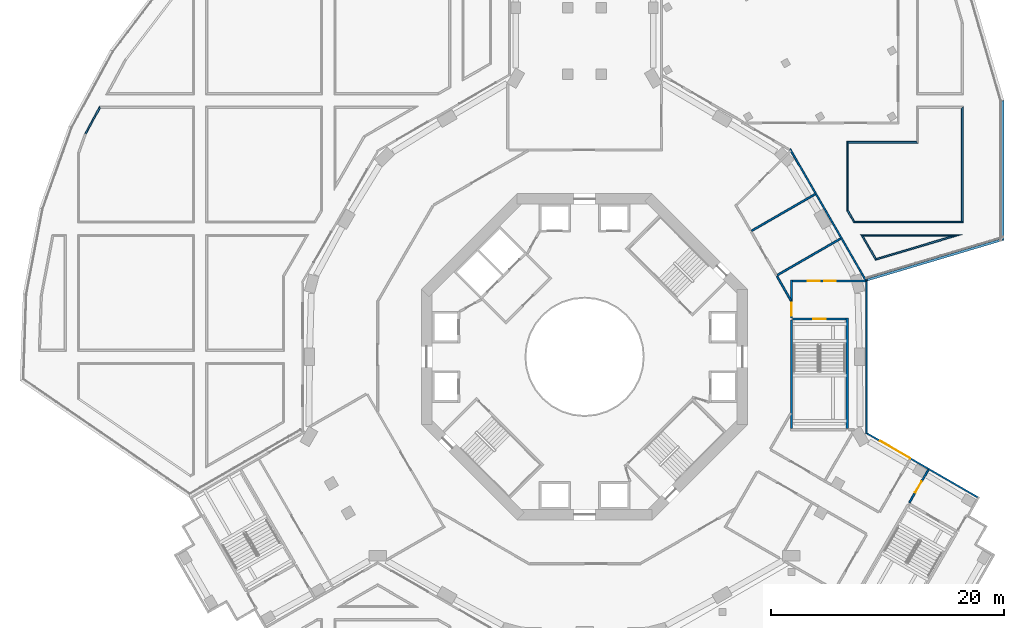
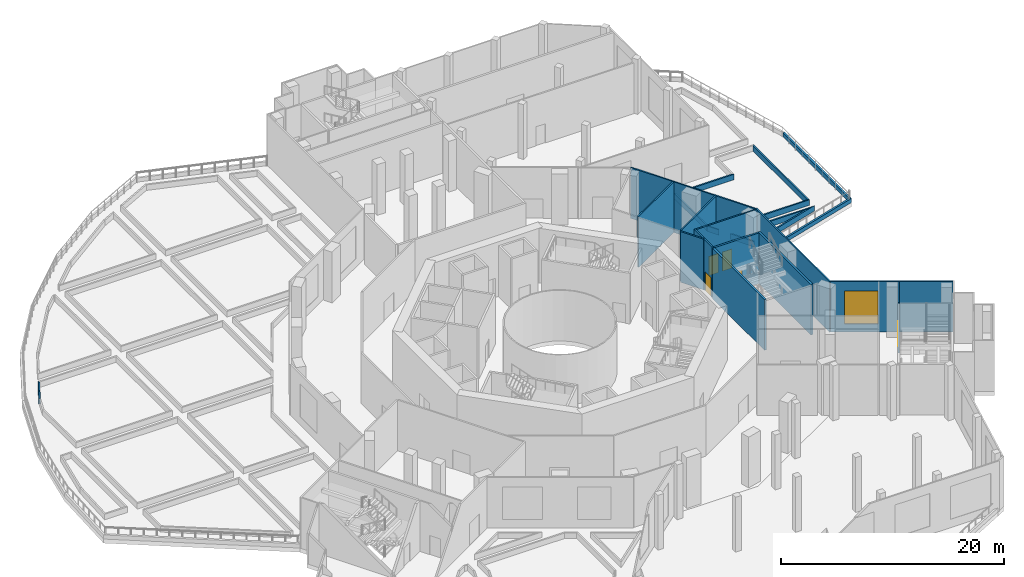
# One storey, part 8 of 29: 23 walls, 5 doors, 1 window, 6 openings.
"""IFC4 building model written with IfcOpenShell, lengths in metres."""

import ifcopenshell
import ifcopenshell.guid

model = None  # the IFC model being written
_history = None  # IfcOwnerHistory: only IFC2X3 demands one
_inside = {}  # id of a spatial element -> (the spatial element, [elements in it])
_under = {}  # id of a project, library or spatial element -> (it, [spatial elements below it])
_declared = {}  # id of a project -> (the project, [libraries it declares])
_typed = {}  # id of a type object -> (the type object, [elements of that type])
_made_of = {}  # id of a material, layer set ... -> (it, [elements and type objects made of it])


def new_model(schema):
    """Start an empty IFC model of exactly this schema.

    Asked for "IFC4X3", IfcOpenShell would pick the latest addendum, in which some entities
    have other attributes; the version numbers below select the first issue.
    IFC2X3 requires an IfcOwnerHistory on every rooted entity: one is made here for all.
    """
    global model, _history
    if schema == "IFC4X3":
        model = ifcopenshell.file(schema_version=(4, 3, 0, 0))
    else:
        model = ifcopenshell.file(schema=schema)
    _inside.clear()
    _under.clear()
    _declared.clear()
    _typed.clear()
    _made_of.clear()
    _history = None
    if model.schema == "IFC2X3":
        org = make("IfcOrganization", Name="unknown")
        user = make(
            "IfcPersonAndOrganization",
            ThePerson=make("IfcPerson", FamilyName="unknown"),
            TheOrganization=org,
        )
        app = make(
            "IfcApplication",
            ApplicationDeveloper=org,
            Version="unknown",
            ApplicationFullName="unknown",
            ApplicationIdentifier="unknown",
        )
        _history = make(
            "IfcOwnerHistory",
            OwningUser=user,
            OwningApplication=app,
            ChangeAction="ADDED",
            CreationDate=0,
        )
    return model


def make(cls, **values):
    """One entity of the class cls with the attributes given. An attribute that is None is left unset."""
    return model.create_entity(
        cls, **{name: value for name, value in values.items() if value is not None}
    )


def rooted(cls, **values):
    """An entity with a GlobalId (a new one), such as an element, a storey or a relation."""
    return make(cls, GlobalId=ifcopenshell.guid.new(), OwnerHistory=_history, **values)


def si_unit(unit_type, name, prefix=None):
    """IfcSIUnit, for example si_unit("LENGTHUNIT", "METRE", prefix="MILLI")."""
    return make("IfcSIUnit", UnitType=unit_type, Prefix=prefix, Name=name)


def assignment(units):
    """IfcUnitAssignment: the units of a project."""
    return None if units is None else make("IfcUnitAssignment", Units=units)


def point(xyz):
    """IfcCartesianPoint."""
    return None if xyz is None else make("IfcCartesianPoint", Coordinates=xyz)


def direction(xyz):
    """IfcDirection."""
    return None if xyz is None else make("IfcDirection", DirectionRatios=xyz)


def frame(location, z_axis=None, x_axis=None):
    """IfcAxis2Placement3D, a coordinate frame: its origin and axes. An axis left out is left unset."""
    return make(
        "IfcAxis2Placement3D",
        Location=point(location),
        Axis=direction(z_axis),
        RefDirection=direction(x_axis),
    )


def frame_2d(location, x_axis=None):
    """IfcAxis2Placement2D, a coordinate frame in the plane: its origin and x axis."""
    return make(
        "IfcAxis2Placement2D", Location=point(location), RefDirection=direction(x_axis)
    )


def origin():
    """The frame at (0, 0, 0) with its axes left unset."""
    return frame((0.0, 0.0, 0.0))


def place(relative_to, where):
    """IfcLocalPlacement: puts the frame where relative to a parent placement (None: the world)."""
    return make(
        "IfcLocalPlacement", PlacementRelTo=relative_to, RelativePlacement=where
    )


def context(
    kind, dimensions, precision=None, world=None, true_north=None, identifier=None
):
    """IfcGeometricRepresentationContext, for example the 3D "Model" context."""
    return make(
        "IfcGeometricRepresentationContext",
        ContextIdentifier=identifier,
        ContextType=kind,
        CoordinateSpaceDimension=dimensions,
        Precision=precision,
        WorldCoordinateSystem=world,
        TrueNorth=true_north,
    )


def subcontext(parent, identifier, kind, view, scale=None):
    """IfcGeometricRepresentationSubContext, for example "Body" below "Model"."""
    return make(
        "IfcGeometricRepresentationSubContext",
        ContextIdentifier=identifier,
        ContextType=kind,
        ParentContext=parent,
        TargetScale=scale,
        TargetView=view,
    )


def project(units=None, contexts=None):
    """IfcProject with its units and contexts."""
    return rooted(
        "IfcProject",
        Name="project",
        RepresentationContexts=contexts,
        UnitsInContext=assignment(units),
    )


def spatial(cls, under=None, at=None, **own):
    """A site, building, storey or space (cls), placed at a placement, below another one or the project."""
    s = rooted(cls, ObjectPlacement=at, **own)
    if under is not None:
        _under.setdefault(under.id(), (under, []))[1].append(s)
    return s


def polyline(points):
    """IfcPolyline through the points."""
    return make("IfcPolyline", Points=[point(p) for p in points])


def profile(cls, at=None, kind="AREA", **sizes):
    """A parametric profile (cls). Its sizes go by their IFC names, for example OverallWidth=200.0."""
    return make(cls, ProfileType=kind, Position=at, **sizes)


def rectangle(**sizes):
    """IfcRectangleProfileDef."""
    return profile("IfcRectangleProfileDef", **sizes)


def outline(outer, holes=None, kind="AREA"):
    """IfcArbitraryClosedProfileDef: a profile drawn as a closed curve; with holes, ...WithVoids."""
    if holes is None:
        return make("IfcArbitraryClosedProfileDef", ProfileType=kind, OuterCurve=outer)
    return make(
        "IfcArbitraryProfileDefWithVoids",
        ProfileType=kind,
        OuterCurve=outer,
        InnerCurves=holes,
    )


def extrude(swept, where, along, depth):
    """IfcExtrudedAreaSolid: the profile swept, set in the frame where, extruded along a direction by depth."""
    return make(
        "IfcExtrudedAreaSolid",
        SweptArea=swept,
        Position=where,
        ExtrudedDirection=direction(along),
        Depth=depth,
    )


def shape(context_of_items, identifier, shape_type, items):
    """IfcShapeRepresentation: the items that make up one representation, for example the "Body"."""
    return make(
        "IfcShapeRepresentation",
        ContextOfItems=context_of_items,
        RepresentationIdentifier=identifier,
        RepresentationType=shape_type,
        Items=items,
    )


def material(Name=None, Category=None):
    """IfcMaterial."""
    return make("IfcMaterial", Name=Name, Category=Category)


def layer(
    of_material, thickness, ventilated=None, Name=None, Category=None, Priority=None
):
    """IfcMaterialLayer: one layer of a wall or slab, of a material (None: an air gap)."""
    return make(
        "IfcMaterialLayer",
        Material=of_material,
        LayerThickness=thickness,
        IsVentilated=ventilated,
        Name=Name,
        Category=Category,
        Priority=Priority,
    )


def layer_set(layers, Name=None):
    """IfcMaterialLayerSet."""
    return make("IfcMaterialLayerSet", MaterialLayers=layers, LayerSetName=Name)


def made_of(thing, what):
    """Note that an element or type object is made of a material, layer set ...; save() writes the relation."""
    if what is not None:
        _made_of.setdefault(what.id(), (what, []))[1].append(thing)
    return thing


def type_object(cls, material=None, **own):
    """A type object (cls), such as IfcWallType, which elements share."""
    return made_of(rooted(cls, **own), material)


def element(
    cls,
    number,
    at=None,
    inside=None,
    cuts=None,
    type_object=None,
    material=None,
    context=None,
    identifier="Body",
    shape_type=None,
    held_by="IfcProductDefinitionShape",
    body=None,
    shapes=None,
    **own,
):
    """One element of the class cls, such as IfcWall. Its Tag is "e" and its number.

    at: its placement. inside: the storey or other place that contains it. cuts: it is an
    opening in that element (IfcRelVoidsElement). A single representation is given by context,
    identifier, shape_type and body (its items); several are given by shapes. held_by: the class
    of the entity that holds the representations. save() writes the other relations.
    """
    e = rooted(cls, Tag="e%d" % number, ObjectPlacement=at, **own)
    if body is not None:
        shapes = [shape(context, identifier, shape_type, body)]
    if shapes is not None:
        e.Representation = make(held_by, Representations=shapes)
    if inside is not None:
        _inside.setdefault(inside.id(), (inside, []))[1].append(e)
    if cuts is not None:
        rooted(
            "IfcRelVoidsElement", RelatingBuildingElement=cuts, RelatedOpeningElement=e
        )
    if type_object is not None:
        _typed.setdefault(type_object.id(), (type_object, []))[1].append(e)
    return made_of(e, material)


def fill(opening, filler):
    """IfcRelFillsElement: the door or window that sits in an opening."""
    return rooted(
        "IfcRelFillsElement",
        RelatingOpeningElement=opening,
        RelatedBuildingElement=filler,
    )


def aggregate(whole, parts):
    """IfcRelAggregates: a whole, such as a stair, and the parts it consists of."""
    return rooted("IfcRelAggregates", RelatingObject=whole, RelatedObjects=parts)


def save(model, path):
    """Write the relations noted so far, then the file.

    IfcRelAggregates (storeys below a building ...), IfcRelContainedInSpatialStructure (elements
    in a storey), IfcRelDefinesByType, IfcRelAssociatesMaterial and IfcRelDeclares: one each for
    every whole, place, type object, material and project.
    """
    for whole, parts in _under.values():
        aggregate(whole, parts)
    for where, things in _inside.values():
        rooted(
            "IfcRelContainedInSpatialStructure",
            RelatedElements=things,
            RelatingStructure=where,
        )
    for kind, things in _typed.values():
        rooted("IfcRelDefinesByType", RelatedObjects=things, RelatingType=kind)
    for what, things in _made_of.values():
        rooted("IfcRelAssociatesMaterial", RelatedObjects=things, RelatingMaterial=what)
    for by, libraries in _declared.values():
        rooted("IfcRelDeclares", RelatingContext=by, RelatedDefinitions=libraries)
    model.write(path)


model = new_model("IFC4")

# Units and contexts
model_context = context("Model", 3, precision=1e-05, world=origin(), true_north=direction((0.0, 1.0)))
body_context = subcontext(model_context, "Body", "Model", "MODEL_VIEW")
ifc_project = project(units=[si_unit("LENGTHUNIT", "METRE"), si_unit("AREAUNIT", "SQUARE_METRE"), si_unit("VOLUMEUNIT", "CUBIC_METRE"), si_unit("PLANEANGLEUNIT", "RADIAN"), si_unit("MASSUNIT", "GRAM", prefix="KILO")], contexts=[model_context])

# Site, building, storey
site_placement = place(None, origin())
site = spatial("IfcSite", under=ifc_project, at=site_placement, CompositionType="ELEMENT")
building_placement = place(site_placement, origin())
building = spatial("IfcBuilding", under=site, at=building_placement, Name="Verdalira Terraces Hotel", CompositionType="ELEMENT")
storey_placement = place(building_placement, frame((0.0, 0.0, 8.0)))
storey = spatial("IfcBuildingStorey", under=building, at=storey_placement, Name="L01", CompositionType="ELEMENT", Elevation=8.0)

# Wall
ifc_material_1 = material(Name="Gypsum board partition on steel stud", Category="steel")
ifc_layer_1 = layer(ifc_material_1, 0.14990234375)
ifc_layer_set_1 = layer_set([ifc_layer_1], Name="Fire-rated partition 150 mm")
wall_type_1 = type_object("IfcWallType", Name="Fire-rated partition 150 mm", PredefinedType="PARTITIONING", material=ifc_layer_set_1)
wall_1_placement = place(storey_placement, frame((16.516602, 6.90918, 0.0), z_axis=(0.0, 0.0, 1.0), x_axis=(0.499933044, -0.866064057, 0.0)))
element("IfcWall", 1, at=wall_1_placement, inside=storey, type_object=wall_type_1, Name="Partition", PredefinedType="PARTITIONING", context=body_context, shape_type="SweptSolid", body=[
    extrude(rectangle(XDim=2.408447, YDim=0.149902, at=frame_2d((1.204102, 0.0))), origin(), (0.0, 0.0, 1.0), 5.550049),
])

# Wall, opening, door
wall_2_placement = place(storey_placement, frame((17.758301, 3.349854, 0.0), z_axis=(0.0, 0.0, 1.0), x_axis=(0.0, 1.0, 0.0)))
wall_2 = element("IfcWall", 2, at=wall_2_placement, inside=storey, type_object=wall_type_1, Name="Partition", PredefinedType="PARTITIONING", context=body_context, shape_type="SweptSolid", body=[
    extrude(rectangle(XDim=3.225098, YDim=0.149902, at=frame_2d((1.612549, 0.0))), origin(), (0.0, 0.0, 1.0), 5.550049),
])
opening_1_placement = place(wall_2_placement, frame((0.175293, 0.0, 0.0)))
opening_1 = element("IfcOpeningElement", 3, at=opening_1_placement, cuts=wall_2, Name="Opening L01-D22", PredefinedType="OPENING", context=body_context, shape_type="SweptSolid", body=[
    extrude(rectangle(XDim=1.100098, YDim=2.100098, at=frame_2d((0.550049, 1.050049))), frame((0.0, 0.084961, 0.0), z_axis=(0.0, -1.0, 0.0), x_axis=(1.0, 0.0, 0.0)), (0.0, 0.0, 1.0), 0.169922),
])
ifc_material_2 = material(Name="Steel fire door", Category="steel")
door_type_1 = type_object("IfcDoorType", Name="Stair door 1100 x 2100", OperationType="SINGLE_SWING_LEFT", PredefinedType="DOOR", material=ifc_material_2)
door_1_placement = place(opening_1_placement, origin())
door_1 = element("IfcDoor", 4, at=door_1_placement, inside=storey, type_object=door_type_1, Name="Stair door Ring corridor", OperationType="SINGLE_SWING_LEFT", OverallHeight=2.10009765625, OverallWidth=1.10009765625, PredefinedType="DOOR", context=body_context, shape_type="SweptSolid", body=[
    extrude(rectangle(XDim=1.100098, YDim=2.100098, at=frame_2d((0.550049, 1.050049))), frame((0.0, 0.024902, 0.0), z_axis=(0.0, -1.0, 0.0), x_axis=(1.0, 0.0, 0.0)), (0.0, 0.0, 1.0), 0.050049),
])
fill(opening_1, door_1)

# Walls
wall_3_placement = place(storey_placement, frame((19.787109, 13.964355, 0.0), z_axis=(0.0, 0.0, 1.0), x_axis=(-0.866042631, -0.49997016, 0.0)))
element("IfcWall", 5, at=wall_3_placement, inside=storey, type_object=wall_type_1, Name="Partition", PredefinedType="PARTITIONING", context=body_context, shape_type="SweptSolid", body=[
    extrude(rectangle(XDim=6.285156, YDim=0.149902, at=frame_2d((3.142578, 0.0))), origin(), (0.0, 0.0, 1.0), 5.550049),
])
wall_4_placement = place(storey_placement, frame((21.987061, 10.153809, 0.0), z_axis=(0.0, 0.0, 1.0), x_axis=(-0.866032921, -0.49998698, 0.0)))
element("IfcWall", 6, at=wall_4_placement, inside=storey, type_object=wall_type_1, Name="Partition", PredefinedType="PARTITIONING", context=body_context, shape_type="SweptSolid", body=[
    extrude(rectangle(XDim=6.284912, YDim=0.149902, at=frame_2d((3.142578, 0.0))), origin(), (0.0, 0.0, 1.0), 5.550049),
])

# Wall, openings, doors
wall_5_placement = place(storey_placement, frame((24.118408, 6.5, 0.0), z_axis=(0.0, 0.0, 1.0), x_axis=(-1.0, 0.0, 0.0)))
wall_5 = element("IfcWall", 7, at=wall_5_placement, inside=storey, type_object=wall_type_1, Name="Partition", PredefinedType="PARTITIONING", context=body_context, shape_type="SweptSolid", body=[
    extrude(rectangle(XDim=6.285156, YDim=0.149902, at=frame_2d((3.142578, 0.0))), origin(), (0.0, 0.0, 1.0), 5.550049),
])
opening_2_placement = place(wall_5_placement, frame((2.550049, 0.0, 0.0)))
opening_2 = element("IfcOpeningElement", 8, at=opening_2_placement, cuts=wall_5, Name="Opening L01-D26", PredefinedType="OPENING", context=body_context, shape_type="SweptSolid", body=[
    extrude(rectangle(XDim=1.0, YDim=2.100098, at=frame_2d((0.5, 1.050049))), frame((0.0, 0.084961, 0.0), z_axis=(0.0, -1.0, 0.0), x_axis=(1.0, 0.0, 0.0)), (0.0, 0.0, 1.0), 0.169922),
])
opening_3_placement = place(wall_5_placement, frame((3.949951, 0.0, 0.0)))
opening_3 = element("IfcOpeningElement", 9, at=opening_3_placement, cuts=wall_5, Name="Opening L01-D27", PredefinedType="OPENING", context=body_context, shape_type="SweptSolid", body=[
    extrude(rectangle(XDim=1.0, YDim=2.100098, at=frame_2d((0.5, 1.050049))), frame((0.0, 0.084961, 0.0), z_axis=(0.0, -1.0, 0.0), x_axis=(1.0, 0.0, 0.0)), (0.0, 0.0, 1.0), 0.169922),
])
ifc_material_3 = material(Name="Steel fire door", Category="steel")
door_type_2 = type_object("IfcDoorType", Name="Fire door 1000 x 2100", OperationType="SINGLE_SWING_LEFT", PredefinedType="DOOR", material=ifc_material_3)
door_2_placement = place(opening_2_placement, origin())
door_2 = element("IfcDoor", 10, at=door_2_placement, inside=storey, type_object=door_type_2, Name="Stair door Women's WC", OperationType="SINGLE_SWING_LEFT", OverallHeight=2.10009765625, OverallWidth=1.0, PredefinedType="DOOR", context=body_context, shape_type="SweptSolid", body=[
    extrude(rectangle(XDim=1.0, YDim=2.100098, at=frame_2d((0.5, 1.050049))), frame((0.0, 0.024902, 0.0), z_axis=(0.0, -1.0, 0.0), x_axis=(1.0, 0.0, 0.0)), (0.0, 0.0, 1.0), 0.050049),
])
fill(opening_2, door_2)
door_3_placement = place(opening_3_placement, origin())
door_3 = element("IfcDoor", 11, at=door_3_placement, inside=storey, type_object=door_type_2, Name="Stair door Stair lobby PS4", OperationType="SINGLE_SWING_RIGHT", OverallHeight=2.10009765625, OverallWidth=1.0, PredefinedType="DOOR", context=body_context, shape_type="SweptSolid", body=[
    extrude(rectangle(XDim=1.0, YDim=2.100098, at=frame_2d((0.5, 1.050049))), frame((0.0, 0.024902, 0.0), z_axis=(0.0, -1.0, 0.0), x_axis=(1.0, 0.0, 0.0)), (0.0, 0.0, 1.0), 0.050049),
])
fill(opening_3, door_3)

# Wall, opening, door
wall_6_placement = place(storey_placement, frame((27.877197, -12.515381, 0.0), z_axis=(0.0, 0.0, 1.0), x_axis=(0.499973122, 0.866040921, 0.0)))
wall_6 = element("IfcWall", 12, at=wall_6_placement, inside=storey, type_object=wall_type_1, Name="Partition", PredefinedType="PARTITIONING", context=body_context, shape_type="SweptSolid", body=[
    extrude(rectangle(XDim=3.26001, YDim=0.149902, at=frame_2d((1.629883, 0.0))), origin(), (0.0, 0.0, 1.0), 5.550049),
])
opening_4_placement = place(wall_6_placement, frame((1.010254, 0.0, 0.0)))
opening_4 = element("IfcOpeningElement", 13, at=opening_4_placement, cuts=wall_6, Name="Opening L01-D31", PredefinedType="OPENING", context=body_context, shape_type="SweptSolid", body=[
    extrude(rectangle(XDim=1.100098, YDim=2.100098, at=frame_2d((0.550049, 1.050049))), frame((0.0, 0.084961, 0.0), z_axis=(0.0, -1.0, 0.0), x_axis=(1.0, 0.0, 0.0)), (0.0, 0.0, 1.0), 0.169922),
])
door_4_placement = place(opening_4_placement, origin())
door_4 = element("IfcDoor", 14, at=door_4_placement, inside=storey, type_object=door_type_1, Name="Stair door Stair approach corridor", OperationType="SINGLE_SWING_RIGHT", OverallHeight=2.10009765625, OverallWidth=1.10009765625, PredefinedType="DOOR", context=body_context, shape_type="SweptSolid", body=[
    extrude(rectangle(XDim=1.100098, YDim=2.100098, at=frame_2d((0.550049, 1.050049))), frame((0.0, 0.024902, 0.0), z_axis=(0.0, -1.0, 0.0), x_axis=(1.0, 0.0, 0.0)), (0.0, 0.0, 1.0), 0.050049),
])
fill(opening_4, door_4)

# Walls
ifc_material_4 = material(Name="Concrete C50", Category="concrete")
ifc_layer_2 = layer(ifc_material_4, 0.199951171875)
ifc_layer_set_2 = layer_set([ifc_layer_2], Name="Stair enclosure wall 200 mm")
wall_type_2 = type_object("IfcWallType", Name="Stair enclosure wall 200 mm", PredefinedType="SOLIDWALL", material=ifc_layer_set_2)
wall_7_placement = place(storey_placement, frame((17.758301, 3.150146, 0.0), z_axis=(0.0, 0.0, 1.0), x_axis=(0.0, -1.0, 0.0)))
element("IfcWall", 15, at=wall_7_placement, inside=storey, type_object=wall_type_2, Name="Stair enclosure wall", PredefinedType="SOLIDWALL", context=body_context, shape_type="SweptSolid", body=[
    extrude(rectangle(XDim=9.300049, YDim=0.199951, at=frame_2d((4.649902, 0.0))), origin(), (0.0, 0.0, 1.0), 5.550049),
])
wall_8_placement = place(storey_placement, frame((22.55835, -6.149902, 0.0), z_axis=(0.0, 0.0, 1.0), x_axis=(0.0, 1.0, 0.0)))
element("IfcWall", 16, at=wall_8_placement, inside=storey, type_object=wall_type_2, Name="Stair enclosure wall", PredefinedType="SOLIDWALL", context=body_context, shape_type="SweptSolid", body=[
    extrude(rectangle(XDim=9.5, YDim=0.199951, at=frame_2d((4.75, 0.0))), origin(), (0.0, 0.0, 1.0), 5.550049),
])

# Wall, opening, door
wall_9_placement = place(storey_placement, frame((17.858398, 3.25, 0.0), z_axis=(0.0, 0.0, 1.0), x_axis=(1.0, 0.0, 0.0)))
wall_9 = element("IfcWall", 17, at=wall_9_placement, inside=storey, type_object=wall_type_2, Name="Stair enclosure wall", PredefinedType="SOLIDWALL", context=body_context, shape_type="SweptSolid", body=[
    extrude(rectangle(XDim=4.599854, YDim=0.199951, at=frame_2d((2.299805, 0.0))), origin(), (0.0, 0.0, 1.0), 5.550049),
])
opening_5_placement = place(wall_9_placement, frame((1.75, 0.0, 0.0)))
opening_5 = element("IfcOpeningElement", 18, at=opening_5_placement, cuts=wall_9, Name="Opening L01-D24", PredefinedType="OPENING", context=body_context, shape_type="SweptSolid", body=[
    extrude(rectangle(XDim=1.100098, YDim=2.100098, at=frame_2d((0.550049, 1.050049))), frame((0.0, 0.109863, 0.0), z_axis=(0.0, -1.0, 0.0), x_axis=(1.0, 0.0, 0.0)), (0.0, 0.0, 1.0), 0.219971),
])
door_5_placement = place(opening_5_placement, origin())
door_5 = element("IfcDoor", 19, at=door_5_placement, inside=storey, type_object=door_type_1, Name="Stair door Stair lobby PS4", OperationType="SINGLE_SWING_LEFT", OverallHeight=2.10009765625, OverallWidth=1.10009765625, PredefinedType="DOOR", context=body_context, shape_type="SweptSolid", body=[
    extrude(rectangle(XDim=1.100098, YDim=2.100098, at=frame_2d((0.550049, 1.050049))), frame((0.0, 0.024902, 0.0), z_axis=(0.0, -1.0, 0.0), x_axis=(1.0, 0.0, 0.0)), (0.0, 0.0, 1.0), 0.050049),
])
fill(opening_5, door_5)

# Walls
ifc_material_5 = material(Name="Concrete C40", Category="concrete")
ifc_layer_3 = layer(ifc_material_5, 0.14990234375)
ifc_layer_set_3 = layer_set([ifc_layer_3], Name="Terrace planter trough 150 x 600")
wall_type_3 = type_object("IfcWallType", Name="Terrace planter trough 150 x 600", PredefinedType="SOLIDWALL", material=ifc_layer_set_3)
wall_10_placement = place(storey_placement, origin())
element("IfcWall", 20, at=wall_10_placement, inside=storey, type_object=wall_type_3, Name="Terrace planting bed trough", PredefinedType="SOLIDWALL", context=body_context, shape_type="SweptSolid", body=[
    extrude(outline(polyline([(-41.643311, 21.5), (-42.909912, 19.166016), (-42.772461, 19.104492), (-41.554199, 21.350098), (-41.643311, 21.5)])), origin(), (0.0, 0.0, 1.0), 0.600098),
])
wall_11_placement = place(storey_placement, origin())
element("IfcWall", 21, at=wall_11_placement, inside=storey, type_object=wall_type_3, Name="Terrace planting bed trough", PredefinedType="SOLIDWALL", context=body_context, shape_type="SweptSolid", body=[
    extrude(outline(polyline([(24.965088, 8.275879), (32.426514, 10.5), (31.398193, 10.350098), (25.035645, 8.453613), (24.965088, 8.275879)])), origin(), (0.0, 0.0, 1.0), 0.600098),
])
wall_12_placement = place(storey_placement, origin())
element("IfcWall", 22, at=wall_12_placement, inside=storey, type_object=wall_type_3, Name="Terrace planting bed trough", PredefinedType="SOLIDWALL", context=body_context, shape_type="SweptSolid", body=[
    extrude(outline(polyline([(32.426514, 10.5), (23.680908, 10.5), (23.940918, 10.350098), (31.398193, 10.350098), (32.426514, 10.5)])), origin(), (0.0, 0.0, 1.0), 0.600098),
])
wall_13_placement = place(storey_placement, origin())
element("IfcWall", 23, at=wall_13_placement, inside=storey, type_object=wall_type_3, Name="Terrace planting bed trough", PredefinedType="SOLIDWALL", context=body_context, shape_type="SweptSolid", body=[
    extrude(outline(polyline([(23.680908, 10.5), (24.965088, 8.275879), (25.035645, 8.453613), (23.940918, 10.350098), (23.680908, 10.5)])), origin(), (0.0, 0.0, 1.0), 0.600098),
])
wall_14_placement = place(storey_placement, origin())
element("IfcWall", 24, at=wall_14_placement, inside=storey, type_object=wall_type_3, Name="Terrace planting bed trough", PredefinedType="SOLIDWALL", context=body_context, shape_type="SweptSolid", body=[
    extrude(outline(polyline([(22.5, 12.54541), (23.103516, 11.5), (23.190186, 11.649902), (22.649902, 12.585693), (22.5, 12.54541)])), origin(), (0.0, 0.0, 1.0), 0.600098),
])
wall_15_placement = place(storey_placement, origin())
element("IfcWall", 25, at=wall_15_placement, inside=storey, type_object=wall_type_3, Name="Terrace planting bed trough", PredefinedType="SOLIDWALL", context=body_context, shape_type="SweptSolid", body=[
    extrude(outline(polyline([(23.103516, 11.5), (32.5, 11.5), (32.350098, 11.649902), (23.190186, 11.649902), (23.103516, 11.5)])), origin(), (0.0, 0.0, 1.0), 0.600098),
])
wall_16_placement = place(storey_placement, origin())
element("IfcWall", 26, at=wall_16_placement, inside=storey, type_object=wall_type_3, Name="Terrace planting bed trough", PredefinedType="SOLIDWALL", context=body_context, shape_type="SweptSolid", body=[
    extrude(outline(polyline([(32.5, 11.5), (32.5, 21.5), (32.350098, 21.350098), (32.350098, 11.649902), (32.5, 11.5)])), origin(), (0.0, 0.0, 1.0), 0.600098),
])
wall_17_placement = place(storey_placement, origin())
element("IfcWall", 27, at=wall_17_placement, inside=storey, type_object=wall_type_3, Name="Terrace planting bed trough", PredefinedType="SOLIDWALL", context=body_context, shape_type="SweptSolid", body=[
    extrude(outline(polyline([(28.5, 18.5), (22.5, 18.5), (22.649902, 18.350098), (28.649902, 18.350098), (28.5, 18.5)])), origin(), (0.0, 0.0, 1.0), 0.600098),
])
wall_18_placement = place(storey_placement, origin())
element("IfcWall", 28, at=wall_18_placement, inside=storey, type_object=wall_type_3, Name="Terrace planting bed trough", PredefinedType="SOLIDWALL", context=body_context, shape_type="SweptSolid", body=[
    extrude(outline(polyline([(22.5, 18.5), (22.5, 12.54541), (22.649902, 12.585693), (22.649902, 18.350098), (22.5, 18.5)])), origin(), (0.0, 0.0, 1.0), 0.600098),
])
ifc_material_6 = material(Name="Concrete C40", Category="concrete")
ifc_layer_4 = layer(ifc_material_6, 0.199951171875)
ifc_layer_set_4 = layer_set([ifc_layer_4], Name="Terrace upstand 200 x 450")
wall_type_4 = type_object("IfcWallType", Name="Terrace upstand 200 x 450", PredefinedType="SOLIDWALL", material=ifc_layer_set_4)
wall_19_placement = place(storey_placement, origin())
element("IfcWall", 29, at=wall_19_placement, inside=storey, type_object=wall_type_4, Name="Terrace upstand", PredefinedType="SOLIDWALL", context=body_context, shape_type="SweptSolid", body=[
    extrude(outline(polyline([(24.201172, 6.69165), (24.258301, 6.5), (36.0, 10.0), (35.800049, 10.14917), (24.201172, 6.69165)])), origin(), (0.0, 0.0, 1.0), 0.449951),
])
wall_20_placement = place(storey_placement, origin())
element("IfcWall", 30, at=wall_20_placement, inside=storey, type_object=wall_type_4, Name="Terrace upstand", PredefinedType="SOLIDWALL", context=body_context, shape_type="SweptSolid", body=[
    extrude(outline(polyline([(35.800049, 10.14917), (36.0, 10.0), (36.0, 22.0), (35.800049, 21.971436), (35.800049, 10.14917)])), origin(), (0.0, 0.0, 1.0), 0.449951),
])

# Wall, opening, window
ifc_material_7 = material(Name="Terracotta cladding on steel stud backup", Category="masonry")
ifc_layer_5 = layer(ifc_material_7, 0.139892578125)
ifc_layer_set_5 = layer_set([ifc_layer_5], Name="Terracotta clad wall 140 mm")
wall_type_5 = type_object("IfcWallType", Name="Terracotta clad wall 140 mm", PredefinedType="SOLIDWALL", material=ifc_layer_set_5)
wall_21_placement = place(storey_placement, frame((33.751221, -12.061523, 0.0), z_axis=(0.0, 0.0, 1.0), x_axis=(-0.86602647, 0.499998154, 0.0)))
wall_21 = element("IfcWall", 31, at=wall_21_placement, inside=storey, type_object=wall_type_5, Name="Podium facade wall", PredefinedType="SOLIDWALL", context=body_context, shape_type="SweptSolid", body=[
    extrude(rectangle(XDim=10.961426, YDim=0.139893, at=frame_2d((5.480713, 0.0))), origin(), (0.0, 0.0, 1.0), 5.550049),
])
opening_6_placement = place(wall_21_placement, frame((6.702148, 0.0, 0.899902)))
opening_6 = element("IfcOpeningElement", 32, at=opening_6_placement, cuts=wall_21, Name="Opening WP", PredefinedType="OPENING", context=body_context, shape_type="SweptSolid", body=[
    extrude(rectangle(XDim=3.0, YDim=3.600098, at=frame_2d((1.5, 1.800049))), frame((0.0, 0.079834, 0.0), z_axis=(0.0, -1.0, 0.0), x_axis=(1.0, 0.0, 0.0)), (0.0, 0.0, 1.0), 0.159912),
])
ifc_material_8 = material(Name="Clear double glazing in aluminium frame", Category="aluminium")
window_type = type_object("IfcWindowType", Name="Podium window 3000 x 3600", PartitioningType="SINGLE_PANEL", PredefinedType="WINDOW", material=ifc_material_8)
window_placement = place(opening_6_placement, origin())
window = element("IfcWindow", 33, at=window_placement, inside=storey, type_object=window_type, Name="Podium window", OverallHeight=3.60009765625, OverallWidth=3.0, PartitioningType="SINGLE_PANEL", PredefinedType="WINDOW", context=body_context, shape_type="SweptSolid", body=[
    extrude(rectangle(XDim=3.0, YDim=3.600098, at=frame_2d((1.5, 1.800049))), frame((0.0, 0.030029, 0.0), z_axis=(0.0, -1.0, 0.0), x_axis=(1.0, 0.0, 0.0)), (0.0, 0.0, 1.0), 0.060059),
])
fill(opening_6, window)

# Walls
wall_22_placement = place(storey_placement, frame((24.188232, -6.621094, 0.0), z_axis=(0.0, 0.0, 1.0), x_axis=(0.0, 1.0, 0.0)))
element("IfcWall", 34, at=wall_22_placement, inside=storey, type_object=wall_type_5, Name="Podium facade wall", PredefinedType="SOLIDWALL", context=body_context, shape_type="SweptSolid", body=[
    extrude(rectangle(XDim=13.242188, YDim=0.139893, at=frame_2d((6.621094, 0.0))), origin(), (0.0, 0.0, 1.0), 5.550049),
])
wall_23_placement = place(storey_placement, frame((24.118408, 6.602539, 0.0), z_axis=(0.0, 0.0, 1.0), x_axis=(-0.499997984, 0.866026568, 0.0)))
element("IfcWall", 35, at=wall_23_placement, inside=storey, type_object=wall_type_5, Name="Podium facade wall", PredefinedType="SOLIDWALL", context=body_context, shape_type="SweptSolid", body=[
    extrude(rectangle(XDim=12.962402, YDim=0.139893, at=frame_2d((6.481201, 0.0))), origin(), (0.0, 0.0, 1.0), 5.550049),
])

save(model, "model.ifc")
